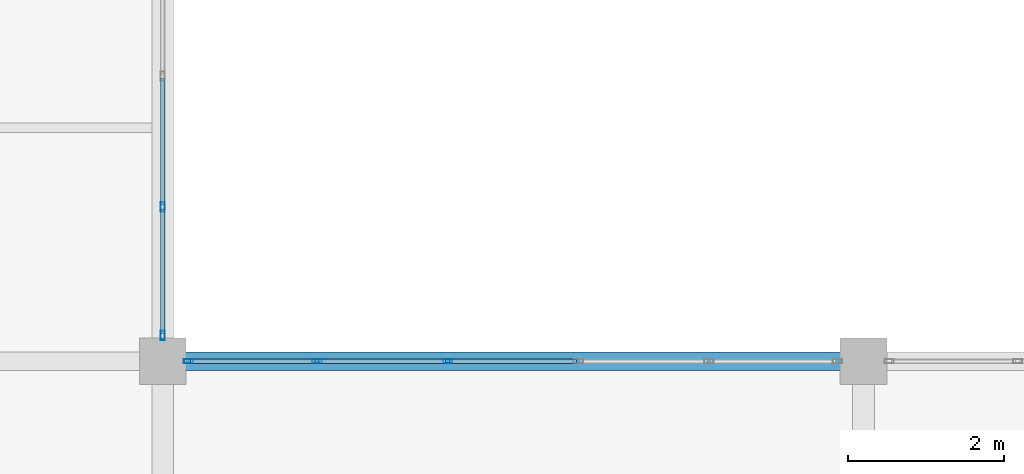
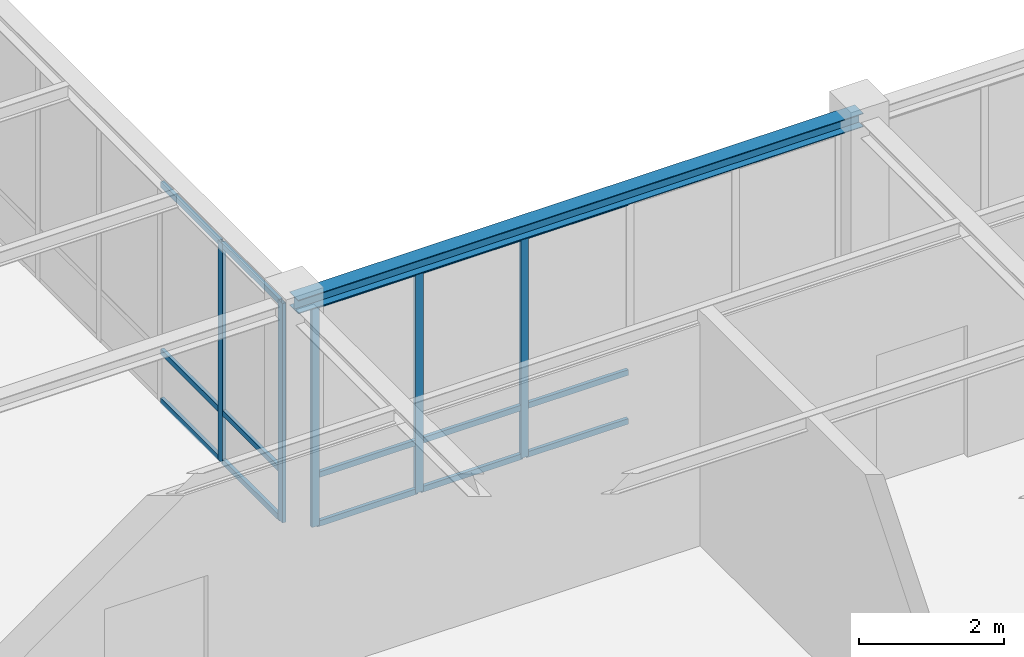
# One storey, part 43 of 97: 20 members, 1 beam, 2 elements without a shape of their own.
"""IFC4 building model written with IfcOpenShell, lengths in metres."""

from ifc_helpers import new_model, si_unit, direction, frame, origin, origin_2d, place, context, subcontext, project, spatial, hollow_rectangle, i_section, extrude, material, material_profile, profile_set, type_object, element, aggregate, save


model = new_model("IFC4")

# Units and contexts
model_context = context("Model", 3, precision=1e-05, world=origin(), true_north=direction((0.0, 1.0)))
body_context = subcontext(model_context, "Body", "Model", "MODEL_VIEW")
ifc_project = project(units=[si_unit("LENGTHUNIT", "METRE"), si_unit("AREAUNIT", "SQUARE_METRE"), si_unit("VOLUMEUNIT", "CUBIC_METRE"), si_unit("PLANEANGLEUNIT", "RADIAN"), si_unit("MASSUNIT", "GRAM", prefix="KILO")], contexts=[model_context])

# Site, building, storey
site_placement = place(None, origin())
site = spatial("IfcSite", under=ifc_project, at=site_placement, CompositionType="ELEMENT")
building_placement = place(site_placement, origin())
building = spatial("IfcBuilding", under=site, at=building_placement, Name="Lykobir Media Centre", CompositionType="ELEMENT")
storey_placement = place(building_placement, frame((0.0, 0.0, 23.39990234375)))
storey = spatial("IfcBuildingStorey", under=building, at=storey_placement, Name="L05", CompositionType="ELEMENT", Elevation=23.39990234375)

# Curtain wall, members
ifc_material_1 = material(Name="Anodized Aluminium AW-6060", Category="aluminium")
curtain_wall_type = type_object("IfcCurtainWallType", Name="CW-COURT-B", PredefinedType="NOTDEFINED", material=ifc_material_1)
curtain_wall_1_placement = place(storey_placement, origin())
curtain_wall_1 = element("IfcCurtainWall", 1, at=curtain_wall_1_placement, inside=storey, type_object=curtain_wall_type, Name="Curtain wall CW2-L05-0181", PredefinedType="NOTDEFINED")
ifc_material_profile_1 = material_profile(ifc_material_1, hollow_rectangle(XDim=0.054931640625, YDim=0.1201171875, WallThickness=0.003173828125, at=origin_2d()), Name="ALU MULLION 55x120")
ifc_profile_set_1 = profile_set([ifc_material_profile_1], Name="Anodized Aluminium AW-6060")
member_type_1 = type_object("IfcMemberType", Name="CWM-120", PredefinedType="MULLION", material=ifc_profile_set_1)
member_1_placement = place(storey_placement, frame((99.0, 19.98291015625, 0.0), z_axis=(0.0, 0.0, 1.0), x_axis=(1.0, 0.0, 0.0)))
member_1 = element("IfcMember", 2, at=member_1_placement, type_object=member_type_1, Name="CW2-L05-0181 mullion 5", PredefinedType="MULLION", context=body_context, shape_type="SweptSolid", body=[
    extrude(hollow_rectangle(XDim=0.054931640625, YDim=0.1201171875, WallThickness=0.003173828125, at=origin_2d()), origin(), (0.0, 0.0, 1.0), 3.695068359375),
])
member_2_placement = place(storey_placement, frame((99.0, 18.33251953125, 0.0), z_axis=(0.0, 0.0, 1.0), x_axis=(1.0, 0.0, 0.0)))
member_2 = element("IfcMember", 3, at=member_2_placement, type_object=member_type_1, Name="CW2-L05-0181 mullion 6", PredefinedType="MULLION", context=body_context, shape_type="SweptSolid", body=[
    extrude(hollow_rectangle(XDim=0.054931640625, YDim=0.1201171875, WallThickness=0.003173828125, at=origin_2d()), origin(), (0.0, 0.0, 1.0), 3.695068359375),
])

curtain_wall_2_placement = place(storey_placement, origin())
curtain_wall_2 = element("IfcCurtainWall", 4, at=curtain_wall_2_placement, inside=storey, type_object=curtain_wall_type, Name="Curtain wall CW2-L05-0187", PredefinedType="NOTDEFINED")
member_3_placement = place(storey_placement, frame((99.33251953125, 18.0, 0.0), z_axis=(0.0, 0.0, 1.0), x_axis=(0.0, 1.0, 0.0)))
member_3 = element("IfcMember", 5, at=member_3_placement, type_object=member_type_1, Name="CW2-L05-0187 mullion 1", PredefinedType="MULLION", context=body_context, shape_type="SweptSolid", body=[
    extrude(hollow_rectangle(XDim=0.054931640625, YDim=0.1201171875, WallThickness=0.003173828125, at=origin_2d()), origin(), (0.0, 0.0, 1.0), 3.735107421875),
])
member_4_placement = place(storey_placement, frame((100.98291015625, 18.0, 0.0), z_axis=(0.0, 0.0, 1.0), x_axis=(0.0, 1.0, 0.0)))
member_4 = element("IfcMember", 6, at=member_4_placement, type_object=member_type_1, Name="CW2-L05-0187 mullion 2", PredefinedType="MULLION", context=body_context, shape_type="SweptSolid", body=[
    extrude(hollow_rectangle(XDim=0.054931640625, YDim=0.1201171875, WallThickness=0.003173828125, at=origin_2d()), origin(), (0.0, 0.0, 1.0), 3.735107421875),
])
member_5_placement = place(storey_placement, frame((102.660888671875, 18.0, 0.0), z_axis=(0.0, 0.0, 1.0), x_axis=(0.0, 1.0, 0.0)))
member_5 = element("IfcMember", 7, at=member_5_placement, type_object=member_type_1, Name="CW2-L05-0187 mullion 3", PredefinedType="MULLION", context=body_context, shape_type="SweptSolid", body=[
    extrude(hollow_rectangle(XDim=0.054931640625, YDim=0.1201171875, WallThickness=0.003173828125, at=origin_2d()), origin(), (0.0, 0.0, 1.0), 3.735107421875),
])

# Member
ifc_material_profile_2 = material_profile(ifc_material_1, hollow_rectangle(XDim=0.054931640625, YDim=0.094970703125, WallThickness=0.0029296875, at=origin_2d()), Name="ALU TRANSOM 55x95")
ifc_profile_set_2 = profile_set([ifc_material_profile_2], Name="Anodized Aluminium AW-6060")
member_type_2 = type_object("IfcMemberType", Name="CWT-095", PredefinedType="USERDEFINED", material=ifc_profile_set_2)
member_6_placement = place(storey_placement, frame((99.0, 21.633544921875, 0.027587890625), z_axis=(0.0, -1.0, 0.0), x_axis=(1.0, 0.0, 0.0)))
member_6 = element("IfcMember", 8, at=member_6_placement, type_object=member_type_2, Name="CW2-L05-0181 transom 4.1", ObjectType="TRANSOM", PredefinedType="USERDEFINED", context=body_context, shape_type="SweptSolid", body=[
    extrude(hollow_rectangle(XDim=0.054931640625, YDim=0.094970703125, WallThickness=0.0029296875, at=origin_2d()), origin(), (0.0, 0.0, 1.0), 1.623046875),
])

member_7_placement = place(storey_placement, frame((99.0, 21.633544921875, 0.85009765625), z_axis=(0.0, -1.0, 0.0), x_axis=(1.0, 0.0, 0.0)))
member_7 = element("IfcMember", 9, at=member_7_placement, type_object=member_type_2, Name="CW2-L05-0181 transom 4.2", ObjectType="TRANSOM", PredefinedType="USERDEFINED", context=body_context, shape_type="SweptSolid", body=[
    extrude(hollow_rectangle(XDim=0.054931640625, YDim=0.094970703125, WallThickness=0.0029296875, at=origin_2d()), origin(), (0.0, 0.0, 1.0), 1.623046875),
])

member_8_placement = place(storey_placement, frame((99.0, 21.633544921875, 3.66748046875), z_axis=(0.0, -1.0, 0.0), x_axis=(1.0, 0.0, 0.0)))
member_8 = element("IfcMember", 10, at=member_8_placement, type_object=member_type_2, Name="CW2-L05-0181 transom 4.3", ObjectType="TRANSOM", PredefinedType="USERDEFINED", context=body_context, shape_type="SweptSolid", body=[
    extrude(hollow_rectangle(XDim=0.054931640625, YDim=0.094970703125, WallThickness=0.0029296875, at=origin_2d()), origin(), (0.0, 0.0, 1.0), 1.623046875),
])

member_9_placement = place(storey_placement, frame((99.0, 19.95556640625, 0.027587890625), z_axis=(0.0, -1.0, 0.0), x_axis=(1.0, 0.0, 0.0)))
member_9 = element("IfcMember", 11, at=member_9_placement, type_object=member_type_2, Name="CW2-L05-0181 transom 5.1", ObjectType="TRANSOM", PredefinedType="USERDEFINED", context=body_context, shape_type="SweptSolid", body=[
    extrude(hollow_rectangle(XDim=0.054931640625, YDim=0.094970703125, WallThickness=0.0029296875, at=origin_2d()), origin(), (0.0, 0.0, 1.0), 1.595458984375),
])

member_10_placement = place(storey_placement, frame((99.0, 19.95556640625, 0.85009765625), z_axis=(0.0, -1.0, 0.0), x_axis=(1.0, 0.0, 0.0)))
member_10 = element("IfcMember", 12, at=member_10_placement, type_object=member_type_2, Name="CW2-L05-0181 transom 5.2", ObjectType="TRANSOM", PredefinedType="USERDEFINED", context=body_context, shape_type="SweptSolid", body=[
    extrude(hollow_rectangle(XDim=0.054931640625, YDim=0.094970703125, WallThickness=0.0029296875, at=origin_2d()), origin(), (0.0, 0.0, 1.0), 1.595458984375),
])

member_11_placement = place(storey_placement, frame((99.0, 19.95556640625, 3.66748046875), z_axis=(0.0, -1.0, 0.0), x_axis=(1.0, 0.0, 0.0)))
member_11 = element("IfcMember", 13, at=member_11_placement, type_object=member_type_2, Name="CW2-L05-0181 transom 5.3", ObjectType="TRANSOM", PredefinedType="USERDEFINED", context=body_context, shape_type="SweptSolid", body=[
    extrude(hollow_rectangle(XDim=0.054931640625, YDim=0.094970703125, WallThickness=0.0029296875, at=origin_2d()), origin(), (0.0, 0.0, 1.0), 1.595458984375),
])

aggregate(curtain_wall_1, [member_1, member_2, member_6, member_7, member_8, member_9, member_10, member_11])

member_12_placement = place(storey_placement, frame((99.360107421875, 18.0, 0.027587890625), z_axis=(1.0, 0.0, 0.0), x_axis=(0.0, 1.0, 0.0)))
member_12 = element("IfcMember", 14, at=member_12_placement, type_object=member_type_2, Name="CW2-L05-0187 transom 1.1", ObjectType="TRANSOM", PredefinedType="USERDEFINED", context=body_context, shape_type="SweptSolid", body=[
    extrude(hollow_rectangle(XDim=0.054931640625, YDim=0.094970703125, WallThickness=0.0029296875, at=origin_2d()), origin(), (0.0, 0.0, 1.0), 1.595458984375),
])

member_13_placement = place(storey_placement, frame((99.360107421875, 18.0, 0.85009765625), z_axis=(1.0, 0.0, 0.0), x_axis=(0.0, 1.0, 0.0)))
member_13 = element("IfcMember", 15, at=member_13_placement, type_object=member_type_2, Name="CW2-L05-0187 transom 1.2", ObjectType="TRANSOM", PredefinedType="USERDEFINED", context=body_context, shape_type="SweptSolid", body=[
    extrude(hollow_rectangle(XDim=0.054931640625, YDim=0.094970703125, WallThickness=0.0029296875, at=origin_2d()), origin(), (0.0, 0.0, 1.0), 1.595458984375),
])

member_14_placement = place(storey_placement, frame((99.360107421875, 18.0, 3.70751953125), z_axis=(1.0, 0.0, 0.0), x_axis=(0.0, 1.0, 0.0)))
member_14 = element("IfcMember", 16, at=member_14_placement, type_object=member_type_2, Name="CW2-L05-0187 transom 1.3", ObjectType="TRANSOM", PredefinedType="USERDEFINED", context=body_context, shape_type="SweptSolid", body=[
    extrude(hollow_rectangle(XDim=0.054931640625, YDim=0.094970703125, WallThickness=0.0029296875, at=origin_2d()), origin(), (0.0, 0.0, 1.0), 1.595458984375),
])

member_15_placement = place(storey_placement, frame((101.010498046875, 18.0, 0.027587890625), z_axis=(1.0, 0.0, 0.0), x_axis=(0.0, 1.0, 0.0)))
member_15 = element("IfcMember", 17, at=member_15_placement, type_object=member_type_2, Name="CW2-L05-0187 transom 2.1", ObjectType="TRANSOM", PredefinedType="USERDEFINED", context=body_context, shape_type="SweptSolid", body=[
    extrude(hollow_rectangle(XDim=0.054931640625, YDim=0.094970703125, WallThickness=0.0029296875, at=origin_2d()), origin(), (0.0, 0.0, 1.0), 1.623046875),
])

member_16_placement = place(storey_placement, frame((101.010498046875, 18.0, 0.85009765625), z_axis=(1.0, 0.0, 0.0), x_axis=(0.0, 1.0, 0.0)))
member_16 = element("IfcMember", 18, at=member_16_placement, type_object=member_type_2, Name="CW2-L05-0187 transom 2.2", ObjectType="TRANSOM", PredefinedType="USERDEFINED", context=body_context, shape_type="SweptSolid", body=[
    extrude(hollow_rectangle(XDim=0.054931640625, YDim=0.094970703125, WallThickness=0.0029296875, at=origin_2d()), origin(), (0.0, 0.0, 1.0), 1.623046875),
])

member_17_placement = place(storey_placement, frame((101.010498046875, 18.0, 3.70751953125), z_axis=(1.0, 0.0, 0.0), x_axis=(0.0, 1.0, 0.0)))
member_17 = element("IfcMember", 19, at=member_17_placement, type_object=member_type_2, Name="CW2-L05-0187 transom 2.3", ObjectType="TRANSOM", PredefinedType="USERDEFINED", context=body_context, shape_type="SweptSolid", body=[
    extrude(hollow_rectangle(XDim=0.054931640625, YDim=0.094970703125, WallThickness=0.0029296875, at=origin_2d()), origin(), (0.0, 0.0, 1.0), 1.623046875),
])

member_18_placement = place(storey_placement, frame((102.6884765625, 18.0, 0.027587890625), z_axis=(1.0, 0.0, 0.0), x_axis=(0.0, 1.0, 0.0)))
member_18 = element("IfcMember", 20, at=member_18_placement, type_object=member_type_2, Name="CW2-L05-0187 transom 3.1", ObjectType="TRANSOM", PredefinedType="USERDEFINED", context=body_context, shape_type="SweptSolid", body=[
    extrude(hollow_rectangle(XDim=0.054931640625, YDim=0.094970703125, WallThickness=0.0029296875, at=origin_2d()), origin(), (0.0, 0.0, 1.0), 1.623046875),
])

member_19_placement = place(storey_placement, frame((102.6884765625, 18.0, 0.85009765625), z_axis=(1.0, 0.0, 0.0), x_axis=(0.0, 1.0, 0.0)))
member_19 = element("IfcMember", 21, at=member_19_placement, type_object=member_type_2, Name="CW2-L05-0187 transom 3.2", ObjectType="TRANSOM", PredefinedType="USERDEFINED", context=body_context, shape_type="SweptSolid", body=[
    extrude(hollow_rectangle(XDim=0.054931640625, YDim=0.094970703125, WallThickness=0.0029296875, at=origin_2d()), origin(), (0.0, 0.0, 1.0), 1.623046875),
])

member_20_placement = place(storey_placement, frame((102.6884765625, 18.0, 3.70751953125), z_axis=(1.0, 0.0, 0.0), x_axis=(0.0, 1.0, 0.0)))
member_20 = element("IfcMember", 22, at=member_20_placement, type_object=member_type_2, Name="CW2-L05-0187 transom 3.3", ObjectType="TRANSOM", PredefinedType="USERDEFINED", context=body_context, shape_type="SweptSolid", body=[
    extrude(hollow_rectangle(XDim=0.054931640625, YDim=0.094970703125, WallThickness=0.0029296875, at=origin_2d()), origin(), (0.0, 0.0, 1.0), 1.623046875),
])

aggregate(curtain_wall_2, [member_3, member_4, member_5, member_12, member_13, member_14, member_15, member_16, member_17, member_18, member_19, member_20])

# Beam
ifc_material_2 = material(Name="Steel S355", Category="steel")
ifc_material_profile_3 = material_profile(ifc_material_2, i_section(OverallWidth=0.239990234375, OverallDepth=0.22998046875, WebThickness=0.007568359375, FlangeThickness=0.011962890625, at=origin_2d()), Name="HEA 240")
ifc_profile_set_3 = profile_set([ifc_material_profile_3], Name="Steel S355")
beam_type = type_object("IfcBeamType", Name="SP-HEA240", PredefinedType="SPANDREL", material=ifc_profile_set_3)
beam_placement = place(storey_placement, frame((99.0, 18.0, 3.864990234375), z_axis=(1.0, 0.0, 0.0), x_axis=(0.0, 1.0, 0.0)))
element("IfcBeam", 23, at=beam_placement, inside=storey, type_object=beam_type, Name="Beam BM-L05-0990-0180-1080-0180-2726", PredefinedType="SPANDREL", context=body_context, shape_type="SweptSolid", body=[
    extrude(i_section(OverallWidth=0.239990234375, OverallDepth=0.22998046875, WebThickness=0.007568359375, FlangeThickness=0.011962890625, at=origin_2d()), origin(), (0.0, 0.0, 1.0), 9.0),
])

save(model, "model.ifc")
